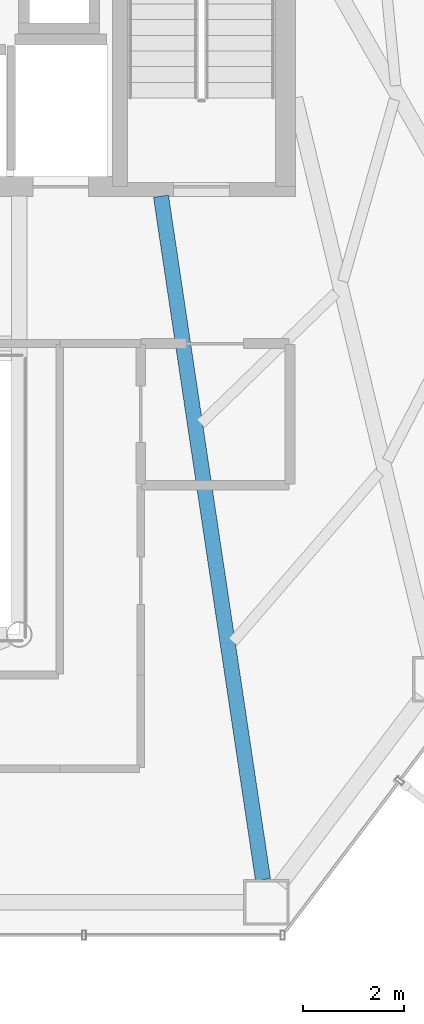
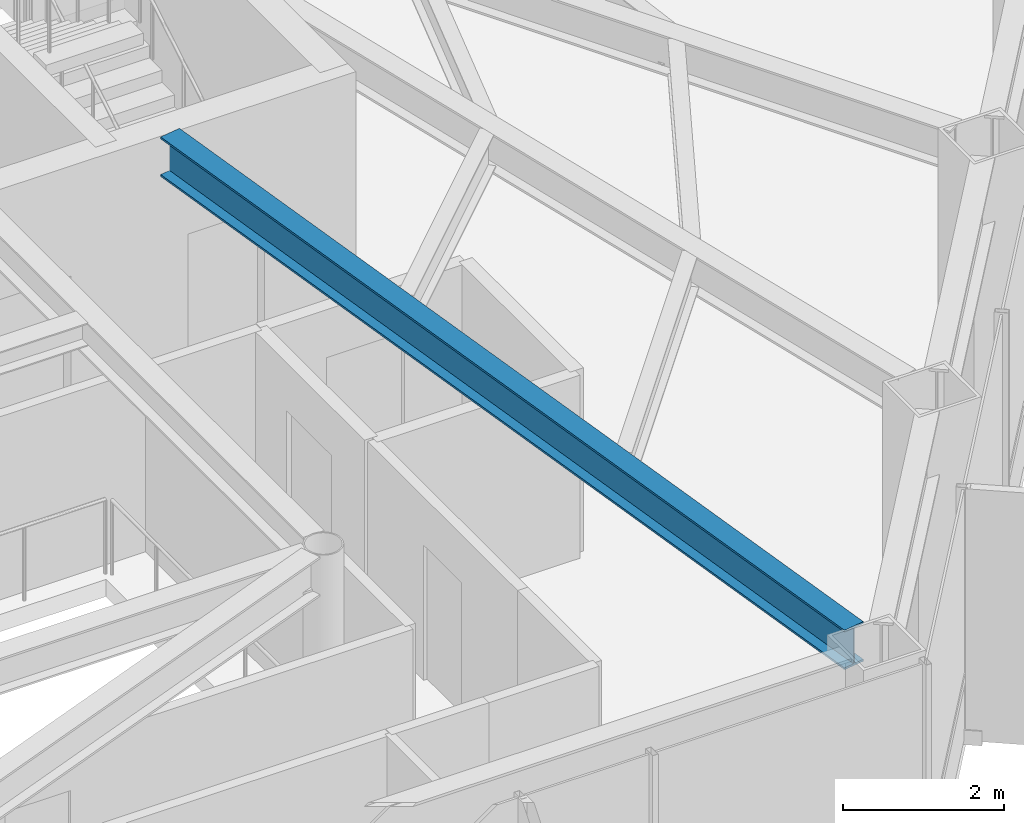
# One storey, part 9 of 25: 1 beam.
"""IFC4 building model written with IfcOpenShell, lengths in metres."""

import ifcopenshell
import ifcopenshell.guid

model = None  # the IFC model being written
_history = None  # IfcOwnerHistory: only IFC2X3 demands one
_inside = {}  # id of a spatial element -> (the spatial element, [elements in it])
_under = {}  # id of a project, library or spatial element -> (it, [spatial elements below it])
_declared = {}  # id of a project -> (the project, [libraries it declares])
_typed = {}  # id of a type object -> (the type object, [elements of that type])
_made_of = {}  # id of a material, layer set ... -> (it, [elements and type objects made of it])


def new_model(schema):
    """Start an empty IFC model of exactly this schema.

    Asked for "IFC4X3", IfcOpenShell would pick the latest addendum, in which some entities
    have other attributes; the version numbers below select the first issue.
    IFC2X3 requires an IfcOwnerHistory on every rooted entity: one is made here for all.
    """
    global model, _history
    if schema == "IFC4X3":
        model = ifcopenshell.file(schema_version=(4, 3, 0, 0))
    else:
        model = ifcopenshell.file(schema=schema)
    _inside.clear()
    _under.clear()
    _declared.clear()
    _typed.clear()
    _made_of.clear()
    _history = None
    if model.schema == "IFC2X3":
        org = make("IfcOrganization", Name="unknown")
        user = make(
            "IfcPersonAndOrganization",
            ThePerson=make("IfcPerson", FamilyName="unknown"),
            TheOrganization=org,
        )
        app = make(
            "IfcApplication",
            ApplicationDeveloper=org,
            Version="unknown",
            ApplicationFullName="unknown",
            ApplicationIdentifier="unknown",
        )
        _history = make(
            "IfcOwnerHistory",
            OwningUser=user,
            OwningApplication=app,
            ChangeAction="ADDED",
            CreationDate=0,
        )
    return model


def make(cls, **values):
    """One entity of the class cls with the attributes given. An attribute that is None is left unset."""
    return model.create_entity(
        cls, **{name: value for name, value in values.items() if value is not None}
    )


def rooted(cls, **values):
    """An entity with a GlobalId (a new one), such as an element, a storey or a relation."""
    return make(cls, GlobalId=ifcopenshell.guid.new(), OwnerHistory=_history, **values)


def si_unit(unit_type, name, prefix=None):
    """IfcSIUnit, for example si_unit("LENGTHUNIT", "METRE", prefix="MILLI")."""
    return make("IfcSIUnit", UnitType=unit_type, Prefix=prefix, Name=name)


def assignment(units):
    """IfcUnitAssignment: the units of a project."""
    return None if units is None else make("IfcUnitAssignment", Units=units)


def point(xyz):
    """IfcCartesianPoint."""
    return None if xyz is None else make("IfcCartesianPoint", Coordinates=xyz)


def direction(xyz):
    """IfcDirection."""
    return None if xyz is None else make("IfcDirection", DirectionRatios=xyz)


def frame(location, z_axis=None, x_axis=None):
    """IfcAxis2Placement3D, a coordinate frame: its origin and axes. An axis left out is left unset."""
    return make(
        "IfcAxis2Placement3D",
        Location=point(location),
        Axis=direction(z_axis),
        RefDirection=direction(x_axis),
    )


def frame_2d(location, x_axis=None):
    """IfcAxis2Placement2D, a coordinate frame in the plane: its origin and x axis."""
    return make(
        "IfcAxis2Placement2D", Location=point(location), RefDirection=direction(x_axis)
    )


def origin():
    """The frame at (0, 0, 0) with its axes left unset."""
    return frame((0.0, 0.0, 0.0))


def origin_2d():
    """The frame at (0, 0) in the plane with its x axis left unset."""
    return frame_2d((0.0, 0.0))


def place(relative_to, where):
    """IfcLocalPlacement: puts the frame where relative to a parent placement (None: the world)."""
    return make(
        "IfcLocalPlacement", PlacementRelTo=relative_to, RelativePlacement=where
    )


def context(
    kind, dimensions, precision=None, world=None, true_north=None, identifier=None
):
    """IfcGeometricRepresentationContext, for example the 3D "Model" context."""
    return make(
        "IfcGeometricRepresentationContext",
        ContextIdentifier=identifier,
        ContextType=kind,
        CoordinateSpaceDimension=dimensions,
        Precision=precision,
        WorldCoordinateSystem=world,
        TrueNorth=true_north,
    )


def subcontext(parent, identifier, kind, view, scale=None):
    """IfcGeometricRepresentationSubContext, for example "Body" below "Model"."""
    return make(
        "IfcGeometricRepresentationSubContext",
        ContextIdentifier=identifier,
        ContextType=kind,
        ParentContext=parent,
        TargetScale=scale,
        TargetView=view,
    )


def project(units=None, contexts=None):
    """IfcProject with its units and contexts."""
    return rooted(
        "IfcProject",
        Name="project",
        RepresentationContexts=contexts,
        UnitsInContext=assignment(units),
    )


def spatial(cls, under=None, at=None, **own):
    """A site, building, storey or space (cls), placed at a placement, below another one or the project."""
    s = rooted(cls, ObjectPlacement=at, **own)
    if under is not None:
        _under.setdefault(under.id(), (under, []))[1].append(s)
    return s


def profile(cls, at=None, kind="AREA", **sizes):
    """A parametric profile (cls). Its sizes go by their IFC names, for example OverallWidth=200.0."""
    return make(cls, ProfileType=kind, Position=at, **sizes)


def i_section(**sizes):
    """IfcIShapeProfileDef."""
    return profile("IfcIShapeProfileDef", **sizes)


def extrude(swept, where, along, depth):
    """IfcExtrudedAreaSolid: the profile swept, set in the frame where, extruded along a direction by depth."""
    return make(
        "IfcExtrudedAreaSolid",
        SweptArea=swept,
        Position=where,
        ExtrudedDirection=direction(along),
        Depth=depth,
    )


def shape(context_of_items, identifier, shape_type, items):
    """IfcShapeRepresentation: the items that make up one representation, for example the "Body"."""
    return make(
        "IfcShapeRepresentation",
        ContextOfItems=context_of_items,
        RepresentationIdentifier=identifier,
        RepresentationType=shape_type,
        Items=items,
    )


def material(Name=None, Category=None):
    """IfcMaterial."""
    return make("IfcMaterial", Name=Name, Category=Category)


def material_profile(
    of_material, cross_section, Name=None, Category=None, Priority=None
):
    """IfcMaterialProfile: a cross section and its material."""
    return make(
        "IfcMaterialProfile",
        Name=Name,
        Material=of_material,
        Profile=cross_section,
        Priority=Priority,
        Category=Category,
    )


def profile_set(profiles, Name=None, composite=None):
    """IfcMaterialProfileSet."""
    return make(
        "IfcMaterialProfileSet",
        Name=Name,
        MaterialProfiles=profiles,
        CompositeProfile=composite,
    )


def made_of(thing, what):
    """Note that an element or type object is made of a material, layer set ...; save() writes the relation."""
    if what is not None:
        _made_of.setdefault(what.id(), (what, []))[1].append(thing)
    return thing


def type_object(cls, material=None, **own):
    """A type object (cls), such as IfcWallType, which elements share."""
    return made_of(rooted(cls, **own), material)


def element(
    cls,
    number,
    at=None,
    inside=None,
    cuts=None,
    type_object=None,
    material=None,
    context=None,
    identifier="Body",
    shape_type=None,
    held_by="IfcProductDefinitionShape",
    body=None,
    shapes=None,
    **own,
):
    """One element of the class cls, such as IfcWall. Its Tag is "e" and its number.

    at: its placement. inside: the storey or other place that contains it. cuts: it is an
    opening in that element (IfcRelVoidsElement). A single representation is given by context,
    identifier, shape_type and body (its items); several are given by shapes. held_by: the class
    of the entity that holds the representations. save() writes the other relations.
    """
    e = rooted(cls, Tag="e%d" % number, ObjectPlacement=at, **own)
    if body is not None:
        shapes = [shape(context, identifier, shape_type, body)]
    if shapes is not None:
        e.Representation = make(held_by, Representations=shapes)
    if inside is not None:
        _inside.setdefault(inside.id(), (inside, []))[1].append(e)
    if cuts is not None:
        rooted(
            "IfcRelVoidsElement", RelatingBuildingElement=cuts, RelatedOpeningElement=e
        )
    if type_object is not None:
        _typed.setdefault(type_object.id(), (type_object, []))[1].append(e)
    return made_of(e, material)


def aggregate(whole, parts):
    """IfcRelAggregates: a whole, such as a stair, and the parts it consists of."""
    return rooted("IfcRelAggregates", RelatingObject=whole, RelatedObjects=parts)


def save(model, path):
    """Write the relations noted so far, then the file.

    IfcRelAggregates (storeys below a building ...), IfcRelContainedInSpatialStructure (elements
    in a storey), IfcRelDefinesByType, IfcRelAssociatesMaterial and IfcRelDeclares: one each for
    every whole, place, type object, material and project.
    """
    for whole, parts in _under.values():
        aggregate(whole, parts)
    for where, things in _inside.values():
        rooted(
            "IfcRelContainedInSpatialStructure",
            RelatedElements=things,
            RelatingStructure=where,
        )
    for kind, things in _typed.values():
        rooted("IfcRelDefinesByType", RelatedObjects=things, RelatingType=kind)
    for what, things in _made_of.values():
        rooted("IfcRelAssociatesMaterial", RelatedObjects=things, RelatingMaterial=what)
    for by, libraries in _declared.values():
        rooted("IfcRelDeclares", RelatingContext=by, RelatedDefinitions=libraries)
    model.write(path)


model = new_model("IFC4")

# Units and contexts
model_context = context("Model", 3, precision=1e-05, world=origin(), true_north=direction((0.0, 1.0)))
body_context = subcontext(model_context, "Body", "Model", "MODEL_VIEW")
ifc_project = project(units=[si_unit("LENGTHUNIT", "METRE"), si_unit("AREAUNIT", "SQUARE_METRE"), si_unit("VOLUMEUNIT", "CUBIC_METRE"), si_unit("PLANEANGLEUNIT", "RADIAN"), si_unit("MASSUNIT", "GRAM", prefix="KILO")], contexts=[model_context])

# Site, building, storey
site_placement = place(None, origin())
site = spatial("IfcSite", under=ifc_project, at=site_placement, CompositionType="ELEMENT")
building_placement = place(site_placement, origin())
building = spatial("IfcBuilding", under=site, at=building_placement, Name="Zarrinselat Tower", CompositionType="ELEMENT")
storey_placement = place(building_placement, frame((0.0, 0.0, 88.739990234375)))
storey = spatial("IfcBuildingStorey", under=building, at=storey_placement, Name="L21", CompositionType="ELEMENT", Elevation=88.739990234375)

# Beam
ifc_material = material(Name="Steel S355J2", Category="steel")
ifc_material_profile = material_profile(ifc_material, i_section(OverallWidth=0.300048828125, OverallDepth=0.60009765625, WebThickness=0.015380859375, FlangeThickness=0.030029296875, at=origin_2d()), Name="HEB 600")
ifc_profile_set = profile_set([ifc_material_profile], Name="Steel S355J2")
beam_type = type_object("IfcBeamType", Name="BM-HEB600", PredefinedType="BEAM", material=ifc_profile_set)
beam_placement = place(storey_placement, frame((45.800048828125, 33.06005859375, 3.52001953125), z_axis=(0.147652241557, -0.989039339745, 0.0), x_axis=(0.989039339745, 0.147652241557, 0.0)))
element("IfcBeam", 1, at=beam_placement, inside=storey, type_object=beam_type, Name="L21 Radial Primary Girder RG11", PredefinedType="BEAM", context=body_context, shape_type="SweptSolid", body=[
    extrude(i_section(OverallWidth=0.300048828125, OverallDepth=0.60009765625, WebThickness=0.015380859375, FlangeThickness=0.030029296875, at=origin_2d()), origin(), (0.0, 0.0, 1.0), 13.65283203125),
])

save(model, "model.ifc")
